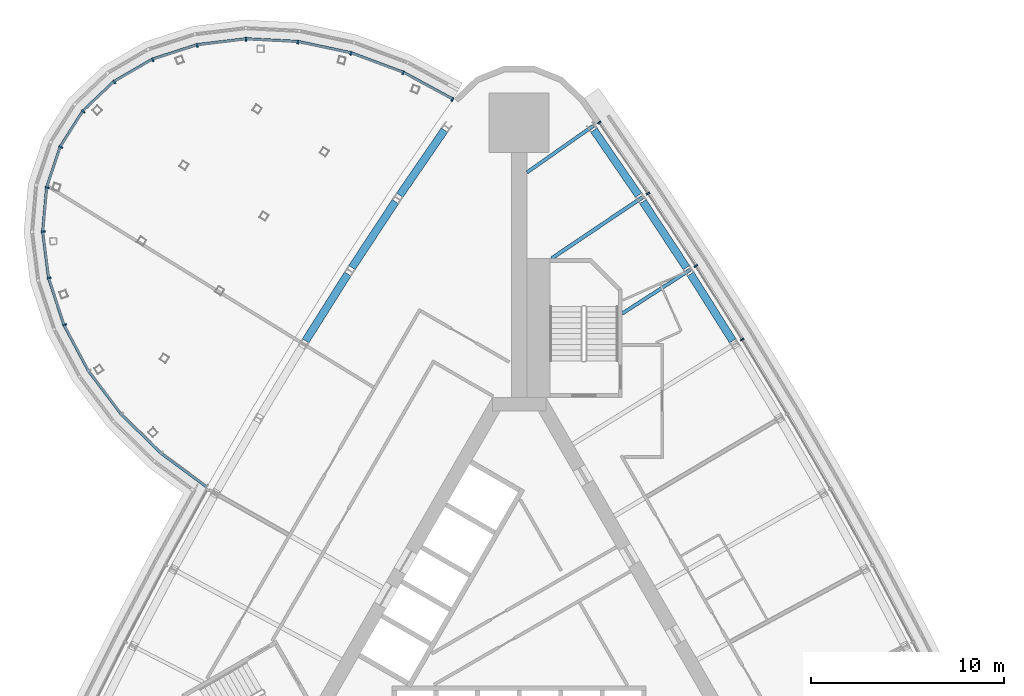
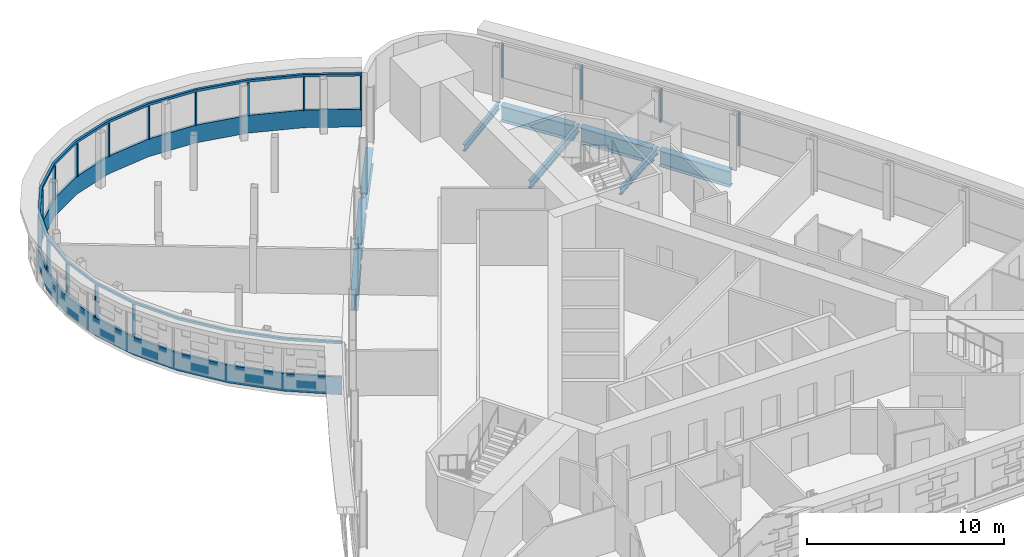
# One storey, part 8 of 16: 20 members, 9 beams, 2 elements without a shape of their own.
"""IFC4 building model written with IfcOpenShell, lengths in metres."""

import ifcopenshell
import ifcopenshell.guid

model = None  # the IFC model being written
_history = None  # IfcOwnerHistory: only IFC2X3 demands one
_inside = {}  # id of a spatial element -> (the spatial element, [elements in it])
_under = {}  # id of a project, library or spatial element -> (it, [spatial elements below it])
_declared = {}  # id of a project -> (the project, [libraries it declares])
_typed = {}  # id of a type object -> (the type object, [elements of that type])
_made_of = {}  # id of a material, layer set ... -> (it, [elements and type objects made of it])


def new_model(schema):
    """Start an empty IFC model of exactly this schema.

    Asked for "IFC4X3", IfcOpenShell would pick the latest addendum, in which some entities
    have other attributes; the version numbers below select the first issue.
    IFC2X3 requires an IfcOwnerHistory on every rooted entity: one is made here for all.
    """
    global model, _history
    if schema == "IFC4X3":
        model = ifcopenshell.file(schema_version=(4, 3, 0, 0))
    else:
        model = ifcopenshell.file(schema=schema)
    _inside.clear()
    _under.clear()
    _declared.clear()
    _typed.clear()
    _made_of.clear()
    _history = None
    if model.schema == "IFC2X3":
        org = make("IfcOrganization", Name="unknown")
        user = make(
            "IfcPersonAndOrganization",
            ThePerson=make("IfcPerson", FamilyName="unknown"),
            TheOrganization=org,
        )
        app = make(
            "IfcApplication",
            ApplicationDeveloper=org,
            Version="unknown",
            ApplicationFullName="unknown",
            ApplicationIdentifier="unknown",
        )
        _history = make(
            "IfcOwnerHistory",
            OwningUser=user,
            OwningApplication=app,
            ChangeAction="ADDED",
            CreationDate=0,
        )
    return model


def make(cls, **values):
    """One entity of the class cls with the attributes given. An attribute that is None is left unset."""
    return model.create_entity(
        cls, **{name: value for name, value in values.items() if value is not None}
    )


def rooted(cls, **values):
    """An entity with a GlobalId (a new one), such as an element, a storey or a relation."""
    return make(cls, GlobalId=ifcopenshell.guid.new(), OwnerHistory=_history, **values)


def si_unit(unit_type, name, prefix=None):
    """IfcSIUnit, for example si_unit("LENGTHUNIT", "METRE", prefix="MILLI")."""
    return make("IfcSIUnit", UnitType=unit_type, Prefix=prefix, Name=name)


def assignment(units):
    """IfcUnitAssignment: the units of a project."""
    return None if units is None else make("IfcUnitAssignment", Units=units)


def point(xyz):
    """IfcCartesianPoint."""
    return None if xyz is None else make("IfcCartesianPoint", Coordinates=xyz)


def direction(xyz):
    """IfcDirection."""
    return None if xyz is None else make("IfcDirection", DirectionRatios=xyz)


def frame(location, z_axis=None, x_axis=None):
    """IfcAxis2Placement3D, a coordinate frame: its origin and axes. An axis left out is left unset."""
    return make(
        "IfcAxis2Placement3D",
        Location=point(location),
        Axis=direction(z_axis),
        RefDirection=direction(x_axis),
    )


def frame_2d(location, x_axis=None):
    """IfcAxis2Placement2D, a coordinate frame in the plane: its origin and x axis."""
    return make(
        "IfcAxis2Placement2D", Location=point(location), RefDirection=direction(x_axis)
    )


def origin():
    """The frame at (0, 0, 0) with its axes left unset."""
    return frame((0.0, 0.0, 0.0))


def origin_2d():
    """The frame at (0, 0) in the plane with its x axis left unset."""
    return frame_2d((0.0, 0.0))


def place(relative_to, where):
    """IfcLocalPlacement: puts the frame where relative to a parent placement (None: the world)."""
    return make(
        "IfcLocalPlacement", PlacementRelTo=relative_to, RelativePlacement=where
    )


def context(
    kind, dimensions, precision=None, world=None, true_north=None, identifier=None
):
    """IfcGeometricRepresentationContext, for example the 3D "Model" context."""
    return make(
        "IfcGeometricRepresentationContext",
        ContextIdentifier=identifier,
        ContextType=kind,
        CoordinateSpaceDimension=dimensions,
        Precision=precision,
        WorldCoordinateSystem=world,
        TrueNorth=true_north,
    )


def subcontext(parent, identifier, kind, view, scale=None):
    """IfcGeometricRepresentationSubContext, for example "Body" below "Model"."""
    return make(
        "IfcGeometricRepresentationSubContext",
        ContextIdentifier=identifier,
        ContextType=kind,
        ParentContext=parent,
        TargetScale=scale,
        TargetView=view,
    )


def project(units=None, contexts=None):
    """IfcProject with its units and contexts."""
    return rooted(
        "IfcProject",
        Name="project",
        RepresentationContexts=contexts,
        UnitsInContext=assignment(units),
    )


def spatial(cls, under=None, at=None, **own):
    """A site, building, storey or space (cls), placed at a placement, below another one or the project."""
    s = rooted(cls, ObjectPlacement=at, **own)
    if under is not None:
        _under.setdefault(under.id(), (under, []))[1].append(s)
    return s


def polyline(points):
    """IfcPolyline through the points."""
    return make("IfcPolyline", Points=[point(p) for p in points])


def profile(cls, at=None, kind="AREA", **sizes):
    """A parametric profile (cls). Its sizes go by their IFC names, for example OverallWidth=200.0."""
    return make(cls, ProfileType=kind, Position=at, **sizes)


def rectangle(**sizes):
    """IfcRectangleProfileDef."""
    return profile("IfcRectangleProfileDef", **sizes)


def i_section(**sizes):
    """IfcIShapeProfileDef."""
    return profile("IfcIShapeProfileDef", **sizes)


def outline(outer, holes=None, kind="AREA"):
    """IfcArbitraryClosedProfileDef: a profile drawn as a closed curve; with holes, ...WithVoids."""
    if holes is None:
        return make("IfcArbitraryClosedProfileDef", ProfileType=kind, OuterCurve=outer)
    return make(
        "IfcArbitraryProfileDefWithVoids",
        ProfileType=kind,
        OuterCurve=outer,
        InnerCurves=holes,
    )


def extrude(swept, where, along, depth):
    """IfcExtrudedAreaSolid: the profile swept, set in the frame where, extruded along a direction by depth."""
    return make(
        "IfcExtrudedAreaSolid",
        SweptArea=swept,
        Position=where,
        ExtrudedDirection=direction(along),
        Depth=depth,
    )


def shape(context_of_items, identifier, shape_type, items):
    """IfcShapeRepresentation: the items that make up one representation, for example the "Body"."""
    return make(
        "IfcShapeRepresentation",
        ContextOfItems=context_of_items,
        RepresentationIdentifier=identifier,
        RepresentationType=shape_type,
        Items=items,
    )


def material(Name=None, Category=None):
    """IfcMaterial."""
    return make("IfcMaterial", Name=Name, Category=Category)


def material_profile(
    of_material, cross_section, Name=None, Category=None, Priority=None
):
    """IfcMaterialProfile: a cross section and its material."""
    return make(
        "IfcMaterialProfile",
        Name=Name,
        Material=of_material,
        Profile=cross_section,
        Priority=Priority,
        Category=Category,
    )


def profile_set(profiles, Name=None, composite=None):
    """IfcMaterialProfileSet."""
    return make(
        "IfcMaterialProfileSet",
        Name=Name,
        MaterialProfiles=profiles,
        CompositeProfile=composite,
    )


def made_of(thing, what):
    """Note that an element or type object is made of a material, layer set ...; save() writes the relation."""
    if what is not None:
        _made_of.setdefault(what.id(), (what, []))[1].append(thing)
    return thing


def type_object(cls, material=None, **own):
    """A type object (cls), such as IfcWallType, which elements share."""
    return made_of(rooted(cls, **own), material)


def element(
    cls,
    number,
    at=None,
    inside=None,
    cuts=None,
    type_object=None,
    material=None,
    context=None,
    identifier="Body",
    shape_type=None,
    held_by="IfcProductDefinitionShape",
    body=None,
    shapes=None,
    **own,
):
    """One element of the class cls, such as IfcWall. Its Tag is "e" and its number.

    at: its placement. inside: the storey or other place that contains it. cuts: it is an
    opening in that element (IfcRelVoidsElement). A single representation is given by context,
    identifier, shape_type and body (its items); several are given by shapes. held_by: the class
    of the entity that holds the representations. save() writes the other relations.
    """
    e = rooted(cls, Tag="e%d" % number, ObjectPlacement=at, **own)
    if body is not None:
        shapes = [shape(context, identifier, shape_type, body)]
    if shapes is not None:
        e.Representation = make(held_by, Representations=shapes)
    if inside is not None:
        _inside.setdefault(inside.id(), (inside, []))[1].append(e)
    if cuts is not None:
        rooted(
            "IfcRelVoidsElement", RelatingBuildingElement=cuts, RelatedOpeningElement=e
        )
    if type_object is not None:
        _typed.setdefault(type_object.id(), (type_object, []))[1].append(e)
    return made_of(e, material)


def aggregate(whole, parts):
    """IfcRelAggregates: a whole, such as a stair, and the parts it consists of."""
    return rooted("IfcRelAggregates", RelatingObject=whole, RelatedObjects=parts)


def save(model, path):
    """Write the relations noted so far, then the file.

    IfcRelAggregates (storeys below a building ...), IfcRelContainedInSpatialStructure (elements
    in a storey), IfcRelDefinesByType, IfcRelAssociatesMaterial and IfcRelDeclares: one each for
    every whole, place, type object, material and project.
    """
    for whole, parts in _under.values():
        aggregate(whole, parts)
    for where, things in _inside.values():
        rooted(
            "IfcRelContainedInSpatialStructure",
            RelatedElements=things,
            RelatingStructure=where,
        )
    for kind, things in _typed.values():
        rooted("IfcRelDefinesByType", RelatedObjects=things, RelatingType=kind)
    for what, things in _made_of.values():
        rooted("IfcRelAssociatesMaterial", RelatedObjects=things, RelatingMaterial=what)
    for by, libraries in _declared.values():
        rooted("IfcRelDeclares", RelatingContext=by, RelatedDefinitions=libraries)
    model.write(path)


model = new_model("IFC4")

# Units and contexts
model_context = context("Model", 3, precision=1e-05, world=origin(), true_north=direction((0.0, 1.0)))
body_context = subcontext(model_context, "Body", "Model", "MODEL_VIEW")
ifc_project = project(units=[si_unit("LENGTHUNIT", "METRE"), si_unit("AREAUNIT", "SQUARE_METRE"), si_unit("VOLUMEUNIT", "CUBIC_METRE"), si_unit("PLANEANGLEUNIT", "RADIAN"), si_unit("MASSUNIT", "GRAM", prefix="KILO")], contexts=[model_context])

# Site, building, storey
site_placement = place(None, origin())
site = spatial("IfcSite", under=ifc_project, at=site_placement, CompositionType="ELEMENT")
building_placement = place(site_placement, origin())
building = spatial("IfcBuilding", under=site, at=building_placement, Name="Noor Cloister Tower", CompositionType="ELEMENT")
storey_placement = place(building_placement, frame((0.0, 0.0, 91.5)))
storey = spatial("IfcBuildingStorey", under=building, at=storey_placement, Name="L23", CompositionType="ELEMENT", Elevation=91.5)

# Beams
ifc_material_1 = material(Name="Steel ASTM A992 Gr 50", Category="steel")
ifc_material_profile_1 = material_profile(ifc_material_1, i_section(OverallWidth=0.40087890625, OverallDepth=0.98291015625, WebThickness=0.0166015625, FlangeThickness=0.027099609375, FilletRadius=0.030029296875, at=origin_2d()), Name="W1000x296")
ifc_profile_set_1 = profile_set([ifc_material_profile_1], Name="Steel ASTM A992 Gr 50")
beam_type_1 = type_object("IfcBeamType", Name="Belt chord girder W1000x296", PredefinedType="BEAM", material=ifc_profile_set_1)
for number, where, z_axis, x_axis, name in (
    (1, (-3.8681640625, 25.29833984375, -0.69140625), (-0.566564305905, -0.8240175285, 0.0), (0.8240175285, -0.566564305905, 0.0), "Spandrel beam NW 01 L23"),
    (2, (-6.408203125, 21.59716796875, -0.69140625), (-0.550254695105, -0.834996868566, 0.0), (0.834996868566, -0.550254695105, 0.0), "Spandrel beam NW 02 L23"),
    (3, (-8.875, 17.8466796875, -0.69140625), (-0.533703118947, -0.845671910865, 0.0), (0.845671910865, -0.533703118947, 0.0), "Spandrel beam NW 03 L23"),
    (4, (11.056884765625, 14.389404296875, -0.69140625), (-0.533703118947, 0.845671910865, 0.0), (-0.845671910865, -0.533703118947, 0.0), "Spandrel beam NE 07 L23"),
    (5, (8.65771484375, 18.18359375, -0.69140625), (-0.550254695105, 0.834996868566, 0.0), (-0.834996868566, -0.550254695105, 0.0), "Spandrel beam NE 08 L23"),
    (6, (6.184326171875, 21.9296875, -0.69140625), (-0.566564305905, 0.8240175285, 0.0), (-0.8240175285, -0.566564305905, 0.0), "Spandrel beam NE 09 L23"),
):
    element("IfcBeam", number, at=place(storey_placement, frame(where, z_axis=z_axis, x_axis=x_axis)), inside=storey, type_object=beam_type_1, Name=name, PredefinedType="BEAM", context=body_context, shape_type="SweptSolid", body=[
        extrude(i_section(OverallWidth=0.40087890625, OverallDepth=0.98291015625, WebThickness=0.0166015625, FlangeThickness=0.027099609375, FilletRadius=0.030029296875, at=origin_2d()), origin(), (0.0, 0.0, 1.0), 4.088134765625),
    ])

# Curtain wall, member
ifc_material_2 = material(Name="Aluminium 6063-T6 anodised", Category="aluminium")
curtain_wall_type_1 = type_object("IfcCurtainWallType", Name="Sky bar curtain wall, lower bars CW2", PredefinedType="NOTDEFINED", material=ifc_material_2)
curtain_wall_1_placement = place(storey_placement, origin())
curtain_wall_1 = element("IfcCurtainWall", 7, at=curtain_wall_1_placement, inside=storey, type_object=curtain_wall_type_1, Name="CW2 L23 NW sky bar run 1", PredefinedType="NOTDEFINED")
ifc_material_3 = material(Name="Aluminium 6063-T6 anodised", Category="aluminium")
member_type_1 = type_object("IfcMemberType", Name="Head transom CW2 150", PredefinedType="USERDEFINED", material=ifc_material_3)
member_1_placement = place(storey_placement, frame((0.0, 0.0, 3.14990234375)))
member_1 = element("IfcMember", 8, at=member_1_placement, type_object=member_type_1, Name="CW2 head transom", ObjectType="TRANSOM", PredefinedType="USERDEFINED", context=body_context, shape_type="SweptSolid", body=[
    extrude(outline(polyline([(-3.37548828125, 26.95263671875), (-5.96630859375, 28.357666015625), (-8.68701171875, 29.370849609375), (-11.445556640625, 29.9580078125), (-14.147705078125, 30.098876953125), (-16.70166015625, 29.7890625), (-19.02001953125, 29.03857421875), (-21.0244140625, 27.873291015625), (-22.646240234375, 26.332763671875), (-23.830078125, 24.469482421875), (-24.5361328125, 22.34716796875), (-24.739990234375, 20.03759765625), (-24.434814453125, 17.619873046875), (-23.631103515625, 15.17626953125), (-22.35595703125, 12.78955078125), (-20.65283203125, 10.54150390625), (-18.580078125, 8.508544921875), (-16.2080078125, 6.759765625), (-16.125, 6.872314453125), (-18.489013671875, 8.615234375), (-20.547607421875, 10.63427734375), (-22.237548828125, 12.865234375), (-23.501708984375, 15.2314453125), (-24.297607421875, 17.65087890625), (-24.59912109375, 20.040283203125), (-24.398193359375, 22.318603515625), (-23.70263671875, 24.408935546875), (-22.537109375, 26.2431640625), (-20.93994140625, 27.760498046875), (-18.962646484375, 28.909912109375), (-16.67138671875, 29.651611328125), (-14.142822265625, 29.95849609375), (-11.4638671875, 29.81884765625), (-8.726318359375, 29.236083984375), (-6.024169921875, 28.22998046875), (-3.4423828125, 26.82958984375), (-3.37548828125, 26.95263671875)])), origin(), (0.0, 0.0, 1.0), 0.150146484375),
])

# Curtain wall, members
ifc_material_4 = material(Name="Aluminium 6063-T6 anodised", Category="aluminium")
curtain_wall_type_2 = type_object("IfcCurtainWallType", Name="Ribbon curtain wall, lower tower CW1", PredefinedType="NOTDEFINED", material=ifc_material_4)
curtain_wall_2_placement = place(storey_placement, origin())
curtain_wall_2 = element("IfcCurtainWall", 9, at=curtain_wall_2_placement, inside=storey, type_object=curtain_wall_type_2, Name="CW1 L23 NE run 4", PredefinedType="NOTDEFINED")
ifc_material_5 = material(Name="Aluminium 6063-T6 anodised", Category="aluminium")
ifc_material_profile_2 = material_profile(ifc_material_5, rectangle(XDim=0.199951171875, YDim=0.080078125, at=origin_2d()), Name="200 x 80 mullion")
ifc_profile_set_2 = profile_set([ifc_material_profile_2], Name="Aluminium 6063-T6 anodised")
member_type_2 = type_object("IfcMemberType", Name="Mullion CW1 80 x 200", PredefinedType="MULLION", material=ifc_profile_set_2)
member_2_placement = place(storey_placement, frame((11.546875, 14.456298828125, 1.10009765625), z_axis=(0.0, 0.0, 1.0), x_axis=(-0.850887652489, -0.525347697094, 0.0)))
member_2 = element("IfcMember", 10, at=member_2_placement, type_object=member_type_2, Name="CW1 mullion 7", PredefinedType="MULLION", context=body_context, shape_type="SweptSolid", body=[
    extrude(rectangle(XDim=0.199951171875, YDim=0.080078125, at=origin_2d()), origin(), (0.0, 0.0, 1.0), 2.0498046875),
])
member_3_placement = place(storey_placement, frame((9.146240234375, 18.260009765625, 1.10009765625), z_axis=(0.0, 0.0, 1.0), x_axis=(-0.840382937583, -0.541993097945, 0.0)))
member_3 = element("IfcMember", 11, at=member_3_placement, type_object=member_type_2, Name="CW1 mullion 8", PredefinedType="MULLION", context=body_context, shape_type="SweptSolid", body=[
    extrude(rectangle(XDim=0.199951171875, YDim=0.080078125, at=origin_2d()), origin(), (0.0, 0.0, 1.0), 2.0498046875),
])
member_4_placement = place(storey_placement, frame((6.67138671875, 22.015869140625, 1.10009765625), z_axis=(0.0, 0.0, 1.0), x_axis=(-0.829552633113, -0.558428535173, 0.0)))
member_4 = element("IfcMember", 12, at=member_4_placement, type_object=member_type_2, Name="CW1 mullion 9", PredefinedType="MULLION", context=body_context, shape_type="SweptSolid", body=[
    extrude(rectangle(XDim=0.199951171875, YDim=0.080078125, at=origin_2d()), origin(), (0.0, 0.0, 1.0), 2.0498046875),
])
member_5_placement = place(storey_placement, frame((4.14501953125, 25.690185546875, 1.10009765625), z_axis=(0.0, 0.0, 1.0), x_axis=(-0.8240166995, -0.566565511609, 0.0)))
member_5 = element("IfcMember", 13, at=member_5_placement, type_object=member_type_2, Name="CW1 mullion 10", PredefinedType="MULLION", context=body_context, shape_type="SweptSolid", body=[
    extrude(rectangle(XDim=0.199951171875, YDim=0.080078125, at=origin_2d()), origin(), (0.0, 0.0, 1.0), 2.0498046875),
])
aggregate(curtain_wall_2, [member_2, member_3, member_4, member_5])

# Member
ifc_material_6 = material(Name="Aluminium 6063-T6 anodised", Category="aluminium")
ifc_material_profile_3 = material_profile(ifc_material_6, rectangle(XDim=0.199951171875, YDim=0.080078125, at=origin_2d()), Name="200 x 80 mullion")
ifc_profile_set_3 = profile_set([ifc_material_profile_3], Name="Aluminium 6063-T6 anodised")
member_type_3 = type_object("IfcMemberType", Name="Mullion CW2 80 x 200", PredefinedType="MULLION", material=ifc_profile_set_3)
member_6_placement = place(storey_placement, frame((-3.45849609375, 26.8837890625, 1.10009765625), z_axis=(0.0, 0.0, 1.0), x_axis=(-0.476733850271, -0.879047686992, 0.0)))
member_6 = element("IfcMember", 14, at=member_6_placement, type_object=member_type_3, Name="CW2 mullion 1", PredefinedType="MULLION", context=body_context, shape_type="SweptSolid", body=[
    extrude(rectangle(XDim=0.199951171875, YDim=0.080078125, at=origin_2d()), origin(), (0.0, 0.0, 1.0), 2.0498046875),
])

member_7_placement = place(storey_placement, frame((-6.007568359375, 28.266357421875, 1.10009765625), z_axis=(0.0, 0.0, 1.0), x_axis=(-0.413885361779, -0.910329010471, 0.0)))
member_7 = element("IfcMember", 15, at=member_7_placement, type_object=member_type_3, Name="CW2 mullion 2", PredefinedType="MULLION", context=body_context, shape_type="SweptSolid", body=[
    extrude(rectangle(XDim=0.199951171875, YDim=0.080078125, at=origin_2d()), origin(), (0.0, 0.0, 1.0), 2.0498046875),
])

member_8_placement = place(storey_placement, frame((-8.715087890625, 29.274658203125, 1.10009765625), z_axis=(0.0, 0.0, 1.0), x_axis=(-0.279338193342, -0.960192779467, 0.0)))
member_8 = element("IfcMember", 16, at=member_8_placement, type_object=member_type_3, Name="CW2 mullion 3", PredefinedType="MULLION", context=body_context, shape_type="SweptSolid", body=[
    extrude(rectangle(XDim=0.199951171875, YDim=0.080078125, at=origin_2d()), origin(), (0.0, 0.0, 1.0), 2.0498046875),
])

member_9_placement = place(storey_placement, frame((-11.458740234375, 29.858642578125, 1.10009765625), z_axis=(0.0, 0.0, 1.0), x_axis=(-0.130537007198, -0.991443437495, 0.0)))
member_9 = element("IfcMember", 17, at=member_9_placement, type_object=member_type_3, Name="CW2 mullion 4", PredefinedType="MULLION", context=body_context, shape_type="SweptSolid", body=[
    extrude(rectangle(XDim=0.199951171875, YDim=0.080078125, at=origin_2d()), origin(), (0.0, 0.0, 1.0), 2.0498046875),
])

member_10_placement = place(storey_placement, frame((-14.144287109375, 29.99853515625, 1.10009765625), z_axis=(0.0, 0.0, 1.0), x_axis=(0.034339163222, -0.999410237024, 0.0)))
member_10 = element("IfcMember", 18, at=member_10_placement, type_object=member_type_3, Name="CW2 mullion 5", PredefinedType="MULLION", context=body_context, shape_type="SweptSolid", body=[
    extrude(rectangle(XDim=0.199951171875, YDim=0.080078125, at=origin_2d()), origin(), (0.0, 0.0, 1.0), 2.0498046875),
])

member_11_placement = place(storey_placement, frame((-16.679931640625, 29.69091796875, 1.10009765625), z_axis=(0.0, 0.0, 1.0), x_axis=(0.215217945533, -0.976566042785, 0.0)))
member_11 = element("IfcMember", 19, at=member_11_placement, type_object=member_type_3, Name="CW2 mullion 6", PredefinedType="MULLION", context=body_context, shape_type="SweptSolid", body=[
    extrude(rectangle(XDim=0.199951171875, YDim=0.080078125, at=origin_2d()), origin(), (0.0, 0.0, 1.0), 2.0498046875),
])

member_12_placement = place(storey_placement, frame((-18.97900390625, 28.94677734375, 1.10009765625), z_axis=(0.0, 0.0, 1.0), x_axis=(0.407603993051, -0.91315879498, 0.0)))
member_12 = element("IfcMember", 20, at=member_12_placement, type_object=member_type_3, Name="CW2 mullion 7", PredefinedType="MULLION", context=body_context, shape_type="SweptSolid", body=[
    extrude(rectangle(XDim=0.199951171875, YDim=0.080078125, at=origin_2d()), origin(), (0.0, 0.0, 1.0), 2.0498046875),
])

member_13_placement = place(storey_placement, frame((-20.9638671875, 27.792724609375, 1.10009765625), z_axis=(0.0, 0.0, 1.0), x_axis=(0.599728606641, -0.800203473109, 0.0)))
member_13 = element("IfcMember", 21, at=member_13_placement, type_object=member_type_3, Name="CW2 mullion 8", PredefinedType="MULLION", context=body_context, shape_type="SweptSolid", body=[
    extrude(rectangle(XDim=0.199951171875, YDim=0.080078125, at=origin_2d()), origin(), (0.0, 0.0, 1.0), 2.0498046875),
])

member_14_placement = place(storey_placement, frame((-22.568359375, 26.268798828125, 1.10009765625), z_axis=(0.0, 0.0, 1.0), x_axis=(0.772133014619, -0.635460941156, 0.0)))
member_14 = element("IfcMember", 22, at=member_14_placement, type_object=member_type_3, Name="CW2 mullion 9", PredefinedType="MULLION", context=body_context, shape_type="SweptSolid", body=[
    extrude(rectangle(XDim=0.199951171875, YDim=0.080078125, at=origin_2d()), origin(), (0.0, 0.0, 1.0), 2.0498046875),
])

member_15_placement = place(storey_placement, frame((-23.7392578125, 24.42626953125, 1.10009765625), z_axis=(0.0, 0.0, 1.0), x_axis=(0.903208899388, -0.429201216292, 0.0)))
member_15 = element("IfcMember", 23, at=member_15_placement, type_object=member_type_3, Name="CW2 mullion 10", PredefinedType="MULLION", context=body_context, shape_type="SweptSolid", body=[
    extrude(rectangle(XDim=0.199951171875, YDim=0.080078125, at=origin_2d()), origin(), (0.0, 0.0, 1.0), 2.0498046875),
])

member_16_placement = place(storey_placement, frame((-24.4375, 22.32666015625, 1.10009765625), z_axis=(0.0, 0.0, 1.0), x_axis=(0.979146575689, -0.203155072094, 0.0)))
member_16 = element("IfcMember", 24, at=member_16_placement, type_object=member_type_3, Name="CW2 mullion 11", PredefinedType="MULLION", context=body_context, shape_type="SweptSolid", body=[
    extrude(rectangle(XDim=0.199951171875, YDim=0.080078125, at=origin_2d()), origin(), (0.0, 0.0, 1.0), 2.0498046875),
])

member_17_placement = place(storey_placement, frame((-24.639404296875, 20.03955078125, 1.10009765625), z_axis=(0.0, 0.0, 1.0), x_axis=(0.999824146621, 0.01875302198, 0.0)))
member_17 = element("IfcMember", 25, at=member_17_placement, type_object=member_type_3, Name="CW2 mullion 12", PredefinedType="MULLION", context=body_context, shape_type="SweptSolid", body=[
    extrude(rectangle(XDim=0.199951171875, YDim=0.080078125, at=origin_2d()), origin(), (0.0, 0.0, 1.0), 2.0498046875),
])

member_18_placement = place(storey_placement, frame((-24.3369140625, 17.64208984375, 1.10009765625), z_axis=(0.0, 0.0, 1.0), x_axis=(0.975532134226, 0.21985689685, 0.0)))
member_18 = element("IfcMember", 26, at=member_18_placement, type_object=member_type_3, Name="CW2 mullion 13", PredefinedType="MULLION", context=body_context, shape_type="SweptSolid", body=[
    extrude(rectangle(XDim=0.199951171875, YDim=0.080078125, at=origin_2d()), origin(), (0.0, 0.0, 1.0), 2.0498046875),
])

member_19_placement = place(storey_placement, frame((-23.538818359375, 15.215576171875, 1.10009765625), z_axis=(0.0, 0.0, 1.0), x_axis=(0.91940282099, 0.393317241875, 0.0)))
member_19 = element("IfcMember", 27, at=member_19_placement, type_object=member_type_3, Name="CW2 mullion 14", PredefinedType="MULLION", context=body_context, shape_type="SweptSolid", body=[
    extrude(rectangle(XDim=0.199951171875, YDim=0.080078125, at=origin_2d()), origin(), (0.0, 0.0, 1.0), 2.0498046875),
])

# Beams
ifc_material_7 = material(Name="Steel ASTM A992 Gr 50", Category="steel")
ifc_material_profile_4 = material_profile(ifc_material_7, i_section(OverallWidth=0.177978515625, OverallDepth=0.406005859375, WebThickness=0.0078125, FlangeThickness=0.0126953125, FilletRadius=0.01025390625, at=origin_2d()), Name="W410x60")
ifc_profile_set_4 = profile_set([ifc_material_profile_4], Name="Steel ASTM A992 Gr 50")
beam_type_2 = type_object("IfcBeamType", Name="Radial beam W410x60", PredefinedType="BEAM", material=ifc_profile_set_4)
beam_1_placement = place(storey_placement, frame((8.8525390625, 18.070556640625, -0.403076171875), z_axis=(-0.840390940062, -0.541980689565, 0.0), x_axis=(0.541980689565, -0.840390940062, 0.0)))
element("IfcBeam", 28, at=beam_1_placement, inside=storey, type_object=beam_type_2, Name="Radial beam NE 08 L23", PredefinedType="BEAM", context=body_context, shape_type="SweptSolid", body=[
    extrude(i_section(OverallWidth=0.177978515625, OverallDepth=0.406005859375, WebThickness=0.0078125, FlangeThickness=0.0126953125, FilletRadius=0.01025390625, at=origin_2d()), origin(), (0.0, 0.0, 1.0), 4.184814453125),
])
beam_2_placement = place(storey_placement, frame((3.8369140625, 25.521484375, -0.403076171875), z_axis=(-0.818400808942, -0.574647819036, 0.0), x_axis=(0.574647819036, -0.818400808942, 0.0)))
element("IfcBeam", 29, at=beam_2_placement, inside=storey, type_object=beam_type_2, Name="Radial beam NE 10 L23", PredefinedType="BEAM", context=body_context, shape_type="SweptSolid", body=[
    extrude(i_section(OverallWidth=0.177978515625, OverallDepth=0.406005859375, WebThickness=0.0078125, FlangeThickness=0.0126953125, FilletRadius=0.01025390625, at=origin_2d()), origin(), (0.0, 0.0, 1.0), 4.19970703125),
])
ifc_material_8 = material(Name="Steel ASTM A992 Gr 50", Category="steel")
ifc_material_profile_5 = material_profile(ifc_material_8, i_section(OverallWidth=0.19091796875, OverallDepth=0.45703125, WebThickness=0.009033203125, FlangeThickness=0.014404296875, FilletRadius=0.01025390625, at=origin_2d()), Name="W460x74")
ifc_profile_set_5 = profile_set([ifc_material_profile_5], Name="Steel ASTM A992 Gr 50")
beam_type_3 = type_object("IfcBeamType", Name="Radial beam W460x74", PredefinedType="BEAM", material=ifc_profile_set_5)
beam_3_placement = place(storey_placement, frame((6.38134765625, 21.82080078125, -0.428466796875), z_axis=(-0.829556274272, -0.558423126147, 0.0), x_axis=(0.558423126147, -0.829556274272, 0.0)))
element("IfcBeam", 30, at=beam_3_placement, inside=storey, type_object=beam_type_3, Name="Radial beam NE 09 L23", PredefinedType="BEAM", context=body_context, shape_type="SweptSolid", body=[
    extrude(i_section(OverallWidth=0.19091796875, OverallDepth=0.45703125, WebThickness=0.009033203125, FlangeThickness=0.014404296875, FilletRadius=0.01025390625, at=origin_2d()), origin(), (0.0, 0.0, 1.0), 5.66650390625),
])

# Member
ifc_material_9 = material(Name="Aluminium 6063-T6 anodised", Category="aluminium")
member_type_4 = type_object("IfcMemberType", Name="Sill transom CW2 1100", PredefinedType="USERDEFINED", material=ifc_material_9)
member_20_placement = place(storey_placement, origin())
member_20 = element("IfcMember", 31, at=member_20_placement, type_object=member_type_4, Name="CW2 sill transom", ObjectType="TRANSOM", PredefinedType="USERDEFINED", context=body_context, shape_type="SweptSolid", body=[
    extrude(outline(polyline([(-3.37548828125, 26.95263671875), (-5.96630859375, 28.357666015625), (-8.68701171875, 29.370849609375), (-11.445556640625, 29.9580078125), (-14.147705078125, 30.098876953125), (-16.70166015625, 29.7890625), (-19.02001953125, 29.03857421875), (-21.0244140625, 27.873291015625), (-22.646240234375, 26.332763671875), (-23.830078125, 24.469482421875), (-24.5361328125, 22.34716796875), (-24.739990234375, 20.03759765625), (-24.434814453125, 17.619873046875), (-23.631103515625, 15.17626953125), (-22.35595703125, 12.78955078125), (-20.65283203125, 10.54150390625), (-18.580078125, 8.508544921875), (-16.2080078125, 6.759765625), (-16.125, 6.872314453125), (-18.489013671875, 8.615234375), (-20.547607421875, 10.63427734375), (-22.237548828125, 12.865234375), (-23.501708984375, 15.2314453125), (-24.297607421875, 17.65087890625), (-24.59912109375, 20.040283203125), (-24.398193359375, 22.318603515625), (-23.70263671875, 24.408935546875), (-22.537109375, 26.2431640625), (-20.93994140625, 27.760498046875), (-18.962646484375, 28.909912109375), (-16.67138671875, 29.651611328125), (-14.142822265625, 29.95849609375), (-11.4638671875, 29.81884765625), (-8.726318359375, 29.236083984375), (-6.024169921875, 28.22998046875), (-3.4423828125, 26.82958984375), (-3.37548828125, 26.95263671875)])), origin(), (0.0, 0.0, 1.0), 1.10009765625),
])

aggregate(curtain_wall_1, [member_6, member_7, member_8, member_9, member_10, member_11, member_12, member_13, member_14, member_15, member_16, member_17, member_18, member_19, member_20, member_1])

save(model, "model.ifc")
